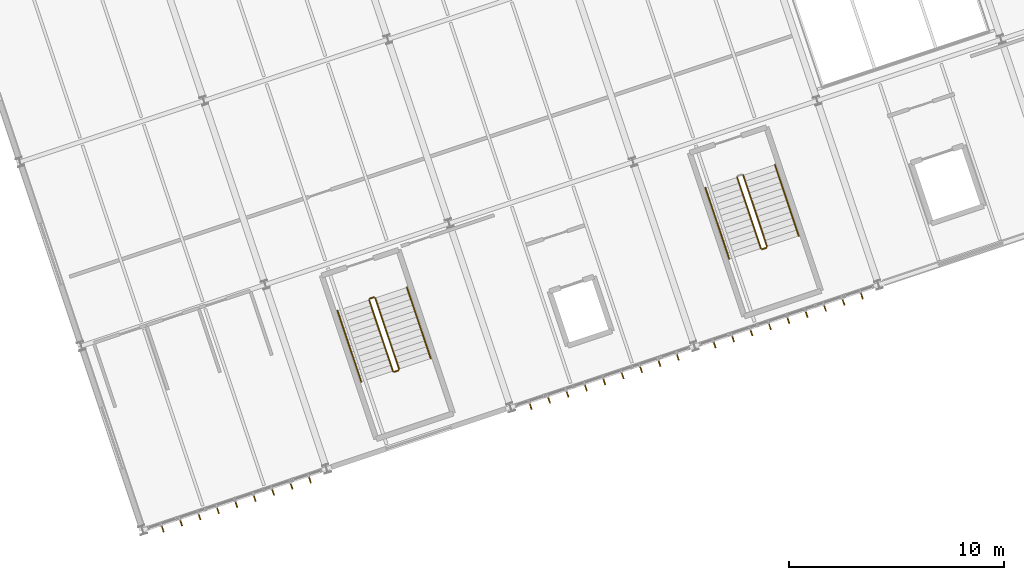
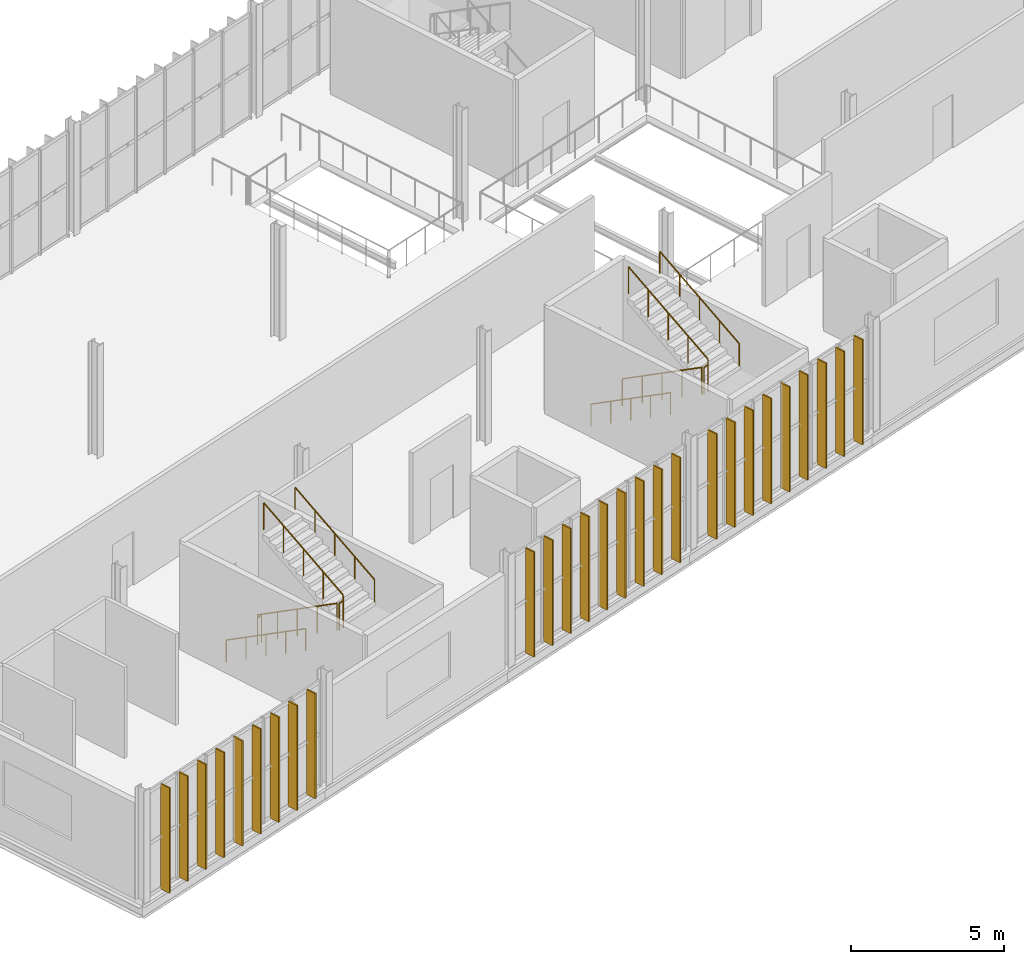
# One storey, part 142 of 152: 27 shading devices, 11 railings.
"""IFC4 building model written with IfcOpenShell, lengths in metres."""

import ifcopenshell
import ifcopenshell.guid

model = None  # the IFC model being written
_history = None  # IfcOwnerHistory: only IFC2X3 demands one
_inside = {}  # id of a spatial element -> (the spatial element, [elements in it])
_under = {}  # id of a project, library or spatial element -> (it, [spatial elements below it])
_declared = {}  # id of a project -> (the project, [libraries it declares])
_typed = {}  # id of a type object -> (the type object, [elements of that type])
_made_of = {}  # id of a material, layer set ... -> (it, [elements and type objects made of it])


def new_model(schema):
    """Start an empty IFC model of exactly this schema.

    Asked for "IFC4X3", IfcOpenShell would pick the latest addendum, in which some entities
    have other attributes; the version numbers below select the first issue.
    IFC2X3 requires an IfcOwnerHistory on every rooted entity: one is made here for all.
    """
    global model, _history
    if schema == "IFC4X3":
        model = ifcopenshell.file(schema_version=(4, 3, 0, 0))
    else:
        model = ifcopenshell.file(schema=schema)
    _inside.clear()
    _under.clear()
    _declared.clear()
    _typed.clear()
    _made_of.clear()
    _history = None
    if model.schema == "IFC2X3":
        org = make("IfcOrganization", Name="unknown")
        user = make(
            "IfcPersonAndOrganization",
            ThePerson=make("IfcPerson", FamilyName="unknown"),
            TheOrganization=org,
        )
        app = make(
            "IfcApplication",
            ApplicationDeveloper=org,
            Version="unknown",
            ApplicationFullName="unknown",
            ApplicationIdentifier="unknown",
        )
        _history = make(
            "IfcOwnerHistory",
            OwningUser=user,
            OwningApplication=app,
            ChangeAction="ADDED",
            CreationDate=0,
        )
    return model


def make(cls, **values):
    """One entity of the class cls with the attributes given. An attribute that is None is left unset."""
    return model.create_entity(
        cls, **{name: value for name, value in values.items() if value is not None}
    )


def rooted(cls, **values):
    """An entity with a GlobalId (a new one), such as an element, a storey or a relation."""
    return make(cls, GlobalId=ifcopenshell.guid.new(), OwnerHistory=_history, **values)


def si_unit(unit_type, name, prefix=None):
    """IfcSIUnit, for example si_unit("LENGTHUNIT", "METRE", prefix="MILLI")."""
    return make("IfcSIUnit", UnitType=unit_type, Prefix=prefix, Name=name)


def derived_unit(unit_type, elements):
    """IfcDerivedUnit: a product of units, each with its exponent."""
    return make(
        "IfcDerivedUnit",
        Elements=[
            make("IfcDerivedUnitElement", Unit=unit, Exponent=power)
            for unit, power in elements
        ],
        UnitType=unit_type,
    )


def assignment(units):
    """IfcUnitAssignment: the units of a project."""
    return None if units is None else make("IfcUnitAssignment", Units=units)


def point(xyz):
    """IfcCartesianPoint."""
    return None if xyz is None else make("IfcCartesianPoint", Coordinates=xyz)


def direction(xyz):
    """IfcDirection."""
    return None if xyz is None else make("IfcDirection", DirectionRatios=xyz)


def frame(location, z_axis=None, x_axis=None):
    """IfcAxis2Placement3D, a coordinate frame: its origin and axes. An axis left out is left unset."""
    return make(
        "IfcAxis2Placement3D",
        Location=point(location),
        Axis=direction(z_axis),
        RefDirection=direction(x_axis),
    )


def frame_2d(location, x_axis=None):
    """IfcAxis2Placement2D, a coordinate frame in the plane: its origin and x axis."""
    return make(
        "IfcAxis2Placement2D", Location=point(location), RefDirection=direction(x_axis)
    )


def origin():
    """The frame at (0, 0, 0) with its axes left unset."""
    return frame((0.0, 0.0, 0.0))


def origin_2d():
    """The frame at (0, 0) in the plane with its x axis left unset."""
    return frame_2d((0.0, 0.0))


def place(relative_to, where):
    """IfcLocalPlacement: puts the frame where relative to a parent placement (None: the world)."""
    return make(
        "IfcLocalPlacement", PlacementRelTo=relative_to, RelativePlacement=where
    )


def context(
    kind, dimensions, precision=None, world=None, true_north=None, identifier=None
):
    """IfcGeometricRepresentationContext, for example the 3D "Model" context."""
    return make(
        "IfcGeometricRepresentationContext",
        ContextIdentifier=identifier,
        ContextType=kind,
        CoordinateSpaceDimension=dimensions,
        Precision=precision,
        WorldCoordinateSystem=world,
        TrueNorth=true_north,
    )


def subcontext(parent, identifier, kind, view, scale=None):
    """IfcGeometricRepresentationSubContext, for example "Body" below "Model"."""
    return make(
        "IfcGeometricRepresentationSubContext",
        ContextIdentifier=identifier,
        ContextType=kind,
        ParentContext=parent,
        TargetScale=scale,
        TargetView=view,
    )


def project(units=None, contexts=None):
    """IfcProject with its units and contexts."""
    return rooted(
        "IfcProject",
        Name="project",
        RepresentationContexts=contexts,
        UnitsInContext=assignment(units),
    )


def spatial(cls, under=None, at=None, **own):
    """A site, building, storey or space (cls), placed at a placement, below another one or the project."""
    s = rooted(cls, ObjectPlacement=at, **own)
    if under is not None:
        _under.setdefault(under.id(), (under, []))[1].append(s)
    return s


def profile(cls, at=None, kind="AREA", **sizes):
    """A parametric profile (cls). Its sizes go by their IFC names, for example OverallWidth=200.0."""
    return make(cls, ProfileType=kind, Position=at, **sizes)


def rectangle(**sizes):
    """IfcRectangleProfileDef."""
    return profile("IfcRectangleProfileDef", **sizes)


def circle(**sizes):
    """IfcCircleProfileDef."""
    return profile("IfcCircleProfileDef", **sizes)


def extrude(swept, where, along, depth):
    """IfcExtrudedAreaSolid: the profile swept, set in the frame where, extruded along a direction by depth."""
    return make(
        "IfcExtrudedAreaSolid",
        SweptArea=swept,
        Position=where,
        ExtrudedDirection=direction(along),
        Depth=depth,
    )


def shape(context_of_items, identifier, shape_type, items):
    """IfcShapeRepresentation: the items that make up one representation, for example the "Body"."""
    return make(
        "IfcShapeRepresentation",
        ContextOfItems=context_of_items,
        RepresentationIdentifier=identifier,
        RepresentationType=shape_type,
        Items=items,
    )


def material(Name=None, Category=None):
    """IfcMaterial."""
    return make("IfcMaterial", Name=Name, Category=Category)


def layer(
    of_material, thickness, ventilated=None, Name=None, Category=None, Priority=None
):
    """IfcMaterialLayer: one layer of a wall or slab, of a material (None: an air gap)."""
    return make(
        "IfcMaterialLayer",
        Material=of_material,
        LayerThickness=thickness,
        IsVentilated=ventilated,
        Name=Name,
        Category=Category,
        Priority=Priority,
    )


def layer_set(layers, Name=None):
    """IfcMaterialLayerSet."""
    return make("IfcMaterialLayerSet", MaterialLayers=layers, LayerSetName=Name)


def made_of(thing, what):
    """Note that an element or type object is made of a material, layer set ...; save() writes the relation."""
    if what is not None:
        _made_of.setdefault(what.id(), (what, []))[1].append(thing)
    return thing


def type_object(cls, material=None, **own):
    """A type object (cls), such as IfcWallType, which elements share."""
    return made_of(rooted(cls, **own), material)


def element(
    cls,
    number,
    at=None,
    inside=None,
    cuts=None,
    type_object=None,
    material=None,
    context=None,
    identifier="Body",
    shape_type=None,
    held_by="IfcProductDefinitionShape",
    body=None,
    shapes=None,
    **own,
):
    """One element of the class cls, such as IfcWall. Its Tag is "e" and its number.

    at: its placement. inside: the storey or other place that contains it. cuts: it is an
    opening in that element (IfcRelVoidsElement). A single representation is given by context,
    identifier, shape_type and body (its items); several are given by shapes. held_by: the class
    of the entity that holds the representations. save() writes the other relations.
    """
    e = rooted(cls, Tag="e%d" % number, ObjectPlacement=at, **own)
    if body is not None:
        shapes = [shape(context, identifier, shape_type, body)]
    if shapes is not None:
        e.Representation = make(held_by, Representations=shapes)
    if inside is not None:
        _inside.setdefault(inside.id(), (inside, []))[1].append(e)
    if cuts is not None:
        rooted(
            "IfcRelVoidsElement", RelatingBuildingElement=cuts, RelatedOpeningElement=e
        )
    if type_object is not None:
        _typed.setdefault(type_object.id(), (type_object, []))[1].append(e)
    return made_of(e, material)


def aggregate(whole, parts):
    """IfcRelAggregates: a whole, such as a stair, and the parts it consists of."""
    return rooted("IfcRelAggregates", RelatingObject=whole, RelatedObjects=parts)


def save(model, path):
    """Write the relations noted so far, then the file.

    IfcRelAggregates (storeys below a building ...), IfcRelContainedInSpatialStructure (elements
    in a storey), IfcRelDefinesByType, IfcRelAssociatesMaterial and IfcRelDeclares: one each for
    every whole, place, type object, material and project.
    """
    for whole, parts in _under.values():
        aggregate(whole, parts)
    for where, things in _inside.values():
        rooted(
            "IfcRelContainedInSpatialStructure",
            RelatedElements=things,
            RelatingStructure=where,
        )
    for kind, things in _typed.values():
        rooted("IfcRelDefinesByType", RelatedObjects=things, RelatingType=kind)
    for what, things in _made_of.values():
        rooted("IfcRelAssociatesMaterial", RelatedObjects=things, RelatingMaterial=what)
    for by, libraries in _declared.values():
        rooted("IfcRelDeclares", RelatingContext=by, RelatedDefinitions=libraries)
    model.write(path)


model = new_model("IFC4")

# Units and contexts
model_context = context("Model", 3, precision=1e-05, world=origin(), true_north=direction((0.0, 1.0)))
body_context = subcontext(model_context, "Body", "Model", "MODEL_VIEW")
ifc_project = project(units=[si_unit("LENGTHUNIT", "METRE"), si_unit("AREAUNIT", "SQUARE_METRE"), si_unit("VOLUMEUNIT", "CUBIC_METRE"), si_unit("PLANEANGLEUNIT", "RADIAN"), si_unit("MASSUNIT", "GRAM", prefix="KILO"), si_unit("THERMODYNAMICTEMPERATUREUNIT", "KELVIN"), si_unit("TIMEUNIT", "SECOND"), derived_unit("THERMALTRANSMITTANCEUNIT", [(si_unit("MASSUNIT", "GRAM", prefix="KILO"), 1), (si_unit("THERMODYNAMICTEMPERATUREUNIT", "KELVIN"), -1), (si_unit("TIMEUNIT", "SECOND"), -3)])], contexts=[model_context])

# Site, building, storey
site_placement = place(None, origin())
site = spatial("IfcSite", under=ifc_project, at=site_placement, CompositionType="ELEMENT")
building_placement = place(site_placement, origin())
building = spatial("IfcBuilding", under=site, at=building_placement, Name="Cambertide Market Hall", CompositionType="ELEMENT")
storey_placement = place(building_placement, frame((0.0, 0.0, 5.39990234375)))
storey = spatial("IfcBuildingStorey", under=building, at=storey_placement, Name="L02", CompositionType="ELEMENT", Elevation=5.39990234375)

# Railings
ifc_material_1 = material(Name="Stainless Steel Grade 316", Category="metal")
railing_type_1 = type_object("IfcRailingType", Name="Stair Wall Handrail 900", PredefinedType="HANDRAIL", material=ifc_material_1)
railing_1_placement = place(storey_placement, frame((115.044189453125, 22.1826171875, 0.173095703125)))
element("IfcRailing", 1, at=railing_1_placement, inside=storey, type_object=railing_type_1, Name="Level 2 ST-05A stair handrail 1", PredefinedType="HANDRAIL", context=body_context, shape_type="SweptSolid", body=[
    extrude(circle(Radius=0.02392578125, at=origin_2d()), frame((0.0, 0.0, 0.8759765625), z_axis=(0.271509163772, -0.814647974636, 0.512475805682), x_axis=(0.948697327987, 0.316185673093, 0.0)), (0.0, 0.0, 1.0), 4.052734375),
    extrude(circle(Radius=0.02099609375, at=origin_2d()), origin(), (0.0, 0.0, 1.0), 0.851806640625),
    extrude(circle(Radius=0.02099609375, at=origin_2d()), frame((0.275146484375, -0.825439453125, 0.519287109375)), (0.0, 0.0, 1.0), 0.851806640625),
    extrude(circle(Radius=0.02099609375, at=origin_2d()), frame((0.55029296875, -1.65087890625, 1.03857421875)), (0.0, 0.0, 1.0), 0.851806640625),
    extrude(circle(Radius=0.02099609375, at=origin_2d()), frame((0.8251953125, -2.47607421875, 1.5576171875)), (0.0, 0.0, 1.0), 0.851806640625),
    extrude(circle(Radius=0.02099609375, at=origin_2d()), frame((1.100341796875, -3.301513671875, 2.076904296875)), (0.0, 0.0, 1.0), 0.851806640625),
])
railing_2_placement = place(storey_placement, frame((119.3701171875, 19.956298828125, 2.423095703125)))
element("IfcRailing", 2, at=railing_2_placement, inside=storey, type_object=railing_type_1, Name="Level 2 ST-05A stair handrail 2", PredefinedType="HANDRAIL", context=body_context, shape_type="SweptSolid", body=[
    extrude(circle(Radius=0.02392578125, at=origin_2d()), frame((0.0, 0.0, 0.8759765625), z_axis=(-0.271564963215, 0.81463464897, 0.51246742282), x_axis=(-0.948676282537, -0.316248811778, 0.0)), (0.0, 0.0, 1.0), 4.052734375),
    extrude(circle(Radius=0.02099609375, at=origin_2d()), origin(), (0.0, 0.0, 1.0), 0.851806640625),
    extrude(circle(Radius=0.02099609375, at=origin_2d()), frame((-0.275146484375, 0.825439453125, 0.519287109375)), (0.0, 0.0, 1.0), 0.851806640625),
    extrude(circle(Radius=0.02099609375, at=origin_2d()), frame((-0.55029296875, 1.65087890625, 1.03857421875)), (0.0, 0.0, 1.0), 0.851806640625),
    extrude(circle(Radius=0.02099609375, at=origin_2d()), frame((-0.825439453125, 2.47607421875, 1.5576171875)), (0.0, 0.0, 1.0), 0.851806640625),
    extrude(circle(Radius=0.02099609375, at=origin_2d()), frame((-1.1005859375, 3.301513671875, 2.076904296875)), (0.0, 0.0, 1.0), 0.851806640625),
])
railing_3_placement = place(storey_placement, frame((132.120361328125, 27.874755859375, 0.173095703125)))
element("IfcRailing", 3, at=railing_3_placement, inside=storey, type_object=railing_type_1, Name="Level 2 ST-06A stair handrail 1", PredefinedType="HANDRAIL", context=body_context, shape_type="SweptSolid", body=[
    extrude(circle(Radius=0.02392578125, at=origin_2d()), frame((0.0, 0.0, 0.8759765625), z_axis=(0.271564963215, -0.81463464897, 0.51246742282), x_axis=(0.948676282537, 0.316248811778, 0.0)), (0.0, 0.0, 1.0), 4.052734375),
    extrude(circle(Radius=0.02099609375, at=origin_2d()), origin(), (0.0, 0.0, 1.0), 0.851806640625),
    extrude(circle(Radius=0.02099609375, at=origin_2d()), frame((0.275146484375, -0.825439453125, 0.519287109375)), (0.0, 0.0, 1.0), 0.851806640625),
    extrude(circle(Radius=0.02099609375, at=origin_2d()), frame((0.55029296875, -1.65087890625, 1.03857421875)), (0.0, 0.0, 1.0), 0.851806640625),
    extrude(circle(Radius=0.02099609375, at=origin_2d()), frame((0.825439453125, -2.47607421875, 1.5576171875)), (0.0, 0.0, 1.0), 0.851806640625),
    extrude(circle(Radius=0.02099609375, at=origin_2d()), frame((1.1005859375, -3.301513671875, 2.076904296875)), (0.0, 0.0, 1.0), 0.851806640625),
])
railing_4_placement = place(storey_placement, frame((136.4462890625, 25.6484375, 2.423095703125)))
element("IfcRailing", 4, at=railing_4_placement, inside=storey, type_object=railing_type_1, Name="Level 2 ST-06A stair handrail 2", PredefinedType="HANDRAIL", context=body_context, shape_type="SweptSolid", body=[
    extrude(circle(Radius=0.02392578125, at=origin_2d()), frame((0.0, 0.0, 0.8759765625), z_axis=(-0.271522488775, 0.814627710942, 0.512500956736), x_axis=(-0.948690313719, -0.316206718232, 0.0)), (0.0, 0.0, 1.0), 4.052490234375),
    extrude(circle(Radius=0.02099609375, at=origin_2d()), origin(), (0.0, 0.0, 1.0), 0.851806640625),
    extrude(circle(Radius=0.02099609375, at=origin_2d()), frame((-0.275146484375, 0.8251953125, 0.519287109375)), (0.0, 0.0, 1.0), 0.851806640625),
    extrude(circle(Radius=0.02099609375, at=origin_2d()), frame((-0.55029296875, 1.650634765625, 1.03857421875)), (0.0, 0.0, 1.0), 0.851806640625),
    extrude(circle(Radius=0.02099609375, at=origin_2d()), frame((-0.8251953125, 2.47607421875, 1.5576171875)), (0.0, 0.0, 1.0), 0.851806640625),
    extrude(circle(Radius=0.02099609375, at=origin_2d()), frame((-1.100341796875, 3.30126953125, 2.076904296875)), (0.0, 0.0, 1.0), 0.851806640625),
])
ifc_material_2 = material(Name="Stainless Steel Grade 316", Category="metal")
railing_type_2 = type_object("IfcRailingType", Name="Stairwell Inner Guardrail 1100", PredefinedType="GUARDRAIL", material=ifc_material_2)
railing_5_placement = place(storey_placement, frame((116.5146484375, 22.672607421875, 0.173095703125)))
element("IfcRailing", 5, at=railing_5_placement, inside=storey, type_object=railing_type_2, Name="Level 2 ST-05A stair guard 1", PredefinedType="GUARDRAIL", context=body_context, shape_type="SweptSolid", body=[
    extrude(circle(Radius=0.02392578125, at=origin_2d()), frame((0.0, 0.0, 1.076171875), z_axis=(0.271522488775, -0.814627710942, 0.512500956736), x_axis=(0.948690313719, 0.316206718232, 0.0)), (0.0, 0.0, 1.0), 4.052490234375),
    extrude(circle(Radius=0.02099609375, at=origin_2d()), origin(), (0.0, 0.0, 1.0), 1.052001953125),
    extrude(circle(Radius=0.02099609375, at=origin_2d()), frame((0.275146484375, -0.8251953125, 0.519287109375)), (0.0, 0.0, 1.0), 1.052001953125),
    extrude(circle(Radius=0.02099609375, at=origin_2d()), frame((0.55029296875, -1.650634765625, 1.03857421875)), (0.0, 0.0, 1.0), 1.052001953125),
    extrude(circle(Radius=0.02099609375, at=origin_2d()), frame((0.8251953125, -2.47607421875, 1.5576171875)), (0.0, 0.0, 1.0), 1.052001953125),
    extrude(circle(Radius=0.02099609375, at=origin_2d()), frame((1.100341796875, -3.30126953125, 2.076904296875)), (0.0, 0.0, 1.0), 1.052001953125),
])
railing_6_placement = place(storey_placement, frame((117.67822265625, 19.339599609375, 2.25)))
element("IfcRailing", 6, at=railing_6_placement, inside=storey, type_object=railing_type_2, Name="Level 2 ST-05A stair guard 2", PredefinedType="GUARDRAIL", context=body_context, shape_type="SweptSolid", body=[
    extrude(circle(Radius=0.02392578125, at=origin_2d()), frame((0.0, 0.0, 1.076171875), z_axis=(0.948683298051, 0.316227766017, 0.0), x_axis=(-0.316227766017, 0.948683298051, 0.0)), (0.0, 0.0, 1.0), 0.199951171875),
    extrude(circle(Radius=0.02099609375, at=origin_2d()), origin(), (0.0, 0.0, 1.0), 1.052001953125),
    extrude(circle(Radius=0.02099609375, at=origin_2d()), frame((0.189697265625, 0.063232421875, 0.0)), (0.0, 0.0, 1.0), 1.052001953125),
])
railing_7_placement = place(storey_placement, frame((117.899658203125, 19.466064453125, 2.423095703125)))
element("IfcRailing", 7, at=railing_7_placement, inside=storey, type_object=railing_type_2, Name="Level 2 ST-05A stair guard 3", PredefinedType="GUARDRAIL", context=body_context, shape_type="SweptSolid", body=[
    extrude(circle(Radius=0.02392578125, at=origin_2d()), frame((0.0, 0.0, 1.076171875), z_axis=(-0.271564963215, 0.81463464897, 0.51246742282), x_axis=(-0.948676282537, -0.316248811778, 0.0)), (0.0, 0.0, 1.0), 4.052734375),
    extrude(circle(Radius=0.02099609375, at=origin_2d()), origin(), (0.0, 0.0, 1.0), 1.052001953125),
    extrude(circle(Radius=0.02099609375, at=origin_2d()), frame((-0.275146484375, 0.825439453125, 0.519287109375)), (0.0, 0.0, 1.0), 1.052001953125),
    extrude(circle(Radius=0.02099609375, at=origin_2d()), frame((-0.55029296875, 1.65087890625, 1.03857421875)), (0.0, 0.0, 1.0), 1.052001953125),
    extrude(circle(Radius=0.02099609375, at=origin_2d()), frame((-0.825439453125, 2.47607421875, 1.5576171875)), (0.0, 0.0, 1.0), 1.052001953125),
    extrude(circle(Radius=0.02099609375, at=origin_2d()), frame((-1.1005859375, 3.301513671875, 2.076904296875)), (0.0, 0.0, 1.0), 1.052001953125),
])
railing_8_placement = place(storey_placement, frame((116.546142578125, 22.73583984375, 0.0)))
element("IfcRailing", 8, at=railing_8_placement, inside=storey, type_object=railing_type_2, Name="Level 2 ST-05A stair guard 4", PredefinedType="GUARDRAIL", context=body_context, shape_type="SweptSolid", body=[
    extrude(circle(Radius=0.02392578125, at=origin_2d()), frame((0.0, 0.0, 1.076171875), z_axis=(0.948683298051, 0.316227766017, 0.0), x_axis=(-0.316227766017, 0.948683298051, 0.0)), (0.0, 0.0, 1.0), 0.199951171875),
    extrude(circle(Radius=0.02099609375, at=origin_2d()), origin(), (0.0, 0.0, 1.0), 1.052001953125),
    extrude(circle(Radius=0.02099609375, at=origin_2d()), frame((0.189697265625, 0.063232421875, 0.0)), (0.0, 0.0, 1.0), 1.052001953125),
])
railing_9_placement = place(storey_placement, frame((133.5908203125, 28.36474609375, 0.173095703125)))
element("IfcRailing", 9, at=railing_9_placement, inside=storey, type_object=railing_type_2, Name="Level 2 ST-06A stair guard 1", PredefinedType="GUARDRAIL", context=body_context, shape_type="SweptSolid", body=[
    extrude(circle(Radius=0.02392578125, at=origin_2d()), frame((0.0, 0.0, 1.076171875), z_axis=(0.271578290521, -0.814614384299, 0.51249257264), x_axis=(0.948669265623, 0.316269860186, 0.0)), (0.0, 0.0, 1.0), 4.052490234375),
    extrude(circle(Radius=0.02099609375, at=origin_2d()), origin(), (0.0, 0.0, 1.0), 1.052001953125),
    extrude(circle(Radius=0.02099609375, at=origin_2d()), frame((0.275146484375, -0.8251953125, 0.519287109375)), (0.0, 0.0, 1.0), 1.052001953125),
    extrude(circle(Radius=0.02099609375, at=origin_2d()), frame((0.55029296875, -1.650634765625, 1.03857421875)), (0.0, 0.0, 1.0), 1.052001953125),
    extrude(circle(Radius=0.02099609375, at=origin_2d()), frame((0.825439453125, -2.47607421875, 1.5576171875)), (0.0, 0.0, 1.0), 1.052001953125),
    extrude(circle(Radius=0.02099609375, at=origin_2d()), frame((1.1005859375, -3.30126953125, 2.076904296875)), (0.0, 0.0, 1.0), 1.052001953125),
])
railing_10_placement = place(storey_placement, frame((134.754638671875, 25.03173828125, 2.25)))
element("IfcRailing", 10, at=railing_10_placement, inside=storey, type_object=railing_type_2, Name="Level 2 ST-06A stair guard 2", PredefinedType="GUARDRAIL", context=body_context, shape_type="SweptSolid", body=[
    extrude(circle(Radius=0.02392578125, at=origin_2d()), frame((0.0, 0.0, 1.076171875), z_axis=(0.948683298051, 0.316227766017, 0.0), x_axis=(-0.316227766017, 0.948683298051, 0.0)), (0.0, 0.0, 1.0), 0.199951171875),
    extrude(circle(Radius=0.02099609375, at=origin_2d()), origin(), (0.0, 0.0, 1.0), 1.052001953125),
    extrude(circle(Radius=0.02099609375, at=origin_2d()), frame((0.189697265625, 0.063232421875, 0.0)), (0.0, 0.0, 1.0), 1.052001953125),
])
railing_11_placement = place(storey_placement, frame((134.975830078125, 25.158203125, 2.423095703125)))
element("IfcRailing", 11, at=railing_11_placement, inside=storey, type_object=railing_type_2, Name="Level 2 ST-06A stair guard 3", PredefinedType="GUARDRAIL", context=body_context, shape_type="SweptSolid", body=[
    extrude(circle(Radius=0.02392578125, at=origin_2d()), frame((0.0, 0.0, 1.076171875), z_axis=(-0.271509163772, 0.814647974636, 0.512475805682), x_axis=(-0.948697327987, -0.316185673093, 0.0)), (0.0, 0.0, 1.0), 4.052734375),
    extrude(circle(Radius=0.02099609375, at=origin_2d()), origin(), (0.0, 0.0, 1.0), 1.052001953125),
    extrude(circle(Radius=0.02099609375, at=origin_2d()), frame((-0.275146484375, 0.825439453125, 0.519287109375)), (0.0, 0.0, 1.0), 1.052001953125),
    extrude(circle(Radius=0.02099609375, at=origin_2d()), frame((-0.55029296875, 1.65087890625, 1.03857421875)), (0.0, 0.0, 1.0), 1.052001953125),
    extrude(circle(Radius=0.02099609375, at=origin_2d()), frame((-0.8251953125, 2.47607421875, 1.5576171875)), (0.0, 0.0, 1.0), 1.052001953125),
    extrude(circle(Radius=0.02099609375, at=origin_2d()), frame((-1.100341796875, 3.301513671875, 2.076904296875)), (0.0, 0.0, 1.0), 1.052001953125),
])

# Shading devices
ifc_material_3 = material(Name="Champagne Marine Anodized Aluminium 6063-T6 AA25", Category="aluminium")
ifc_layer = layer(ifc_material_3, 0.054931640625, Name="Wing Facade Vertical Sun Fin 380x55")
ifc_layer_set = layer_set([ifc_layer], Name="Champagne Marine Anodized Aluminium 6063-T6 AA25")
shading_device_type = type_object("IfcShadingDeviceType", Name="Wing Facade Vertical Sun Fin 380x55", PredefinedType="JALOUSIE", material=ifc_layer_set)
for number, where, z_axis, x_axis, name in (
    (12, (113.750732421875, 14.3623046875, 0.0), (0.0, 0.0, 1.0), (-0.948683321523, -0.316227695598, 0.0), "CW-V3S-L02-1 Vertical Fin 1"),
    (13, (112.89697265625, 14.07763671875, 0.0), (0.0, 0.0, 1.0), (-0.948683321523, -0.316227695598, 0.0), "CW-V3S-L02-1 Vertical Fin 2"),
    (14, (112.043212890625, 13.79296875, 0.0), (0.0, 0.0, 1.0), (-0.948683321523, -0.316227695598, 0.0), "CW-V3S-L02-1 Vertical Fin 3"),
    (15, (111.189208984375, 13.50830078125, 0.0), (0.0, 0.0, 1.0), (-0.948683321523, -0.316227695598, 0.0), "CW-V3S-L02-1 Vertical Fin 4"),
    (16, (110.33544921875, 13.223876953125, 0.0), (0.0, 0.0, 1.0), (-0.948683321523, -0.316227695598, 0.0), "CW-V3S-L02-1 Vertical Fin 5"),
    (17, (109.481689453125, 12.939208984375, 0.0), (0.0, 0.0, 1.0), (-0.948683321523, -0.316227695598, 0.0), "CW-V3S-L02-1 Vertical Fin 6"),
    (18, (108.6279296875, 12.654541015625, 0.0), (0.0, 0.0, 1.0), (-0.948683321523, -0.316227695598, 0.0), "CW-V3S-L02-1 Vertical Fin 7"),
    (19, (107.77392578125, 12.369873046875, 0.0), (0.0, 0.0, 1.0), (-0.948683321523, -0.316227695598, 0.0), "CW-V3S-L02-1 Vertical Fin 8"),
    (20, (106.920166015625, 12.08544921875, 0.0), (0.0, 0.0, 1.0), (-0.948683321523, -0.316227695598, 0.0), "CW-V3S-L02-1 Vertical Fin 9"),
    (21, (130.8271484375, 20.05419921875, 0.0), (0.0, 0.0, 1.0), (-0.948683286311, -0.316227801236, 0.0), "CW-V3S-L02-3 Vertical Fin 1"),
    (22, (129.97314453125, 19.769775390625, 0.0), (0.0, 0.0, 1.0), (-0.948683286311, -0.316227801236, 0.0), "CW-V3S-L02-3 Vertical Fin 2"),
    (23, (129.119384765625, 19.485107421875, 0.0), (0.0, 0.0, 1.0), (-0.948683286311, -0.316227801236, 0.0), "CW-V3S-L02-3 Vertical Fin 3"),
    (24, (128.265625, 19.200439453125, 0.0), (0.0, 0.0, 1.0), (-0.948683286311, -0.316227801236, 0.0), "CW-V3S-L02-3 Vertical Fin 4"),
    (25, (127.411865234375, 18.916015625, 0.0), (0.0, 0.0, 1.0), (-0.948683286311, -0.316227801236, 0.0), "CW-V3S-L02-3 Vertical Fin 5"),
    (26, (126.557861328125, 18.63134765625, 0.0), (0.0, 0.0, 1.0), (-0.948683286311, -0.316227801236, 0.0), "CW-V3S-L02-3 Vertical Fin 6"),
    (27, (125.7041015625, 18.3466796875, 0.0), (0.0, 0.0, 1.0), (-0.948683286311, -0.316227801236, 0.0), "CW-V3S-L02-3 Vertical Fin 7"),
    (28, (124.850341796875, 18.06201171875, 0.0), (0.0, 0.0, 1.0), (-0.948683286311, -0.316227801236, 0.0), "CW-V3S-L02-3 Vertical Fin 8"),
    (29, (123.99658203125, 17.777587890625, 0.0), (0.0, 0.0, 1.0), (-0.948683286311, -0.316227801236, 0.0), "CW-V3S-L02-3 Vertical Fin 9"),
    (30, (139.365234375, 22.900390625, 0.0), (0.0, 0.0, 1.0), (-0.948683286311, -0.316227801236, 0.0), "CW-V3S-L02-4 Vertical Fin 1"),
    (31, (138.511474609375, 22.61572265625, 0.0), (0.0, 0.0, 1.0), (-0.948683286311, -0.316227801236, 0.0), "CW-V3S-L02-4 Vertical Fin 2"),
    (32, (137.657470703125, 22.3310546875, 0.0), (0.0, 0.0, 1.0), (-0.948683286311, -0.316227801236, 0.0), "CW-V3S-L02-4 Vertical Fin 3"),
    (33, (136.8037109375, 22.046630859375, 0.0), (0.0, 0.0, 1.0), (-0.948683286311, -0.316227801236, 0.0), "CW-V3S-L02-4 Vertical Fin 4"),
    (34, (135.949951171875, 21.761962890625, 0.0), (0.0, 0.0, 1.0), (-0.948683286311, -0.316227801236, 0.0), "CW-V3S-L02-4 Vertical Fin 5"),
    (35, (135.09619140625, 21.477294921875, 0.0), (0.0, 0.0, 1.0), (-0.948683286311, -0.316227801236, 0.0), "CW-V3S-L02-4 Vertical Fin 6"),
    (36, (134.2421875, 21.192626953125, 0.0), (0.0, 0.0, 1.0), (-0.948683286311, -0.316227801236, 0.0), "CW-V3S-L02-4 Vertical Fin 7"),
    (37, (133.388427734375, 20.908203125, 0.0), (0.0, 0.0, 1.0), (-0.948683286311, -0.316227801236, 0.0), "CW-V3S-L02-4 Vertical Fin 8"),
    (38, (132.53466796875, 20.62353515625, 0.0), (0.0, 0.0, 1.0), (-0.948683286311, -0.316227801236, 0.0), "CW-V3S-L02-4 Vertical Fin 9"),
):
    element("IfcShadingDevice", number, at=place(storey_placement, frame(where, z_axis=z_axis, x_axis=x_axis)), inside=storey, type_object=shading_device_type, Name=name, PredefinedType="JALOUSIE", context=body_context, shape_type="SweptSolid", body=[
        extrude(rectangle(XDim=0.054931640625, YDim=0.3798828125, at=origin_2d()), origin(), (0.0, 0.0, 1.0), 4.199951171875),
    ])

save(model, "model.ifc")
